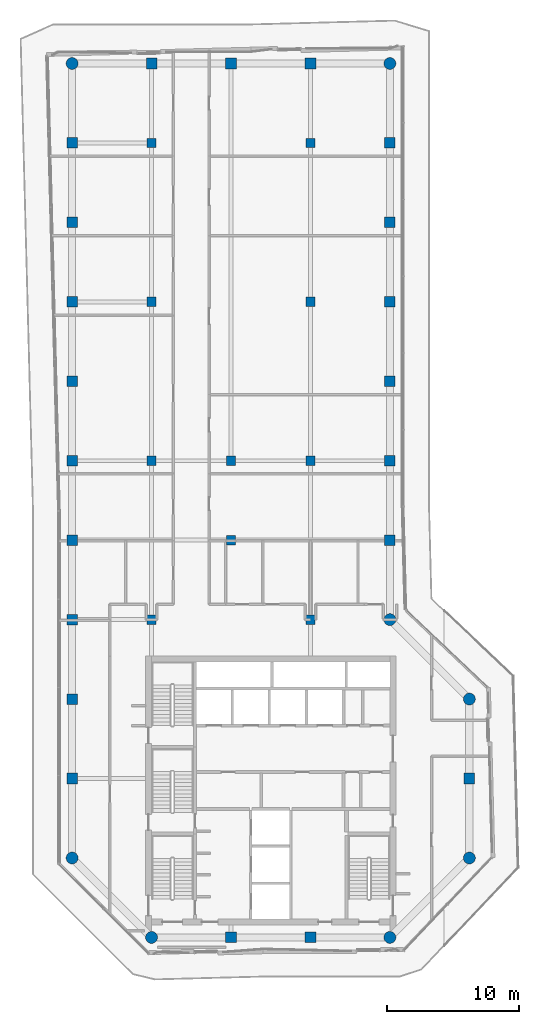
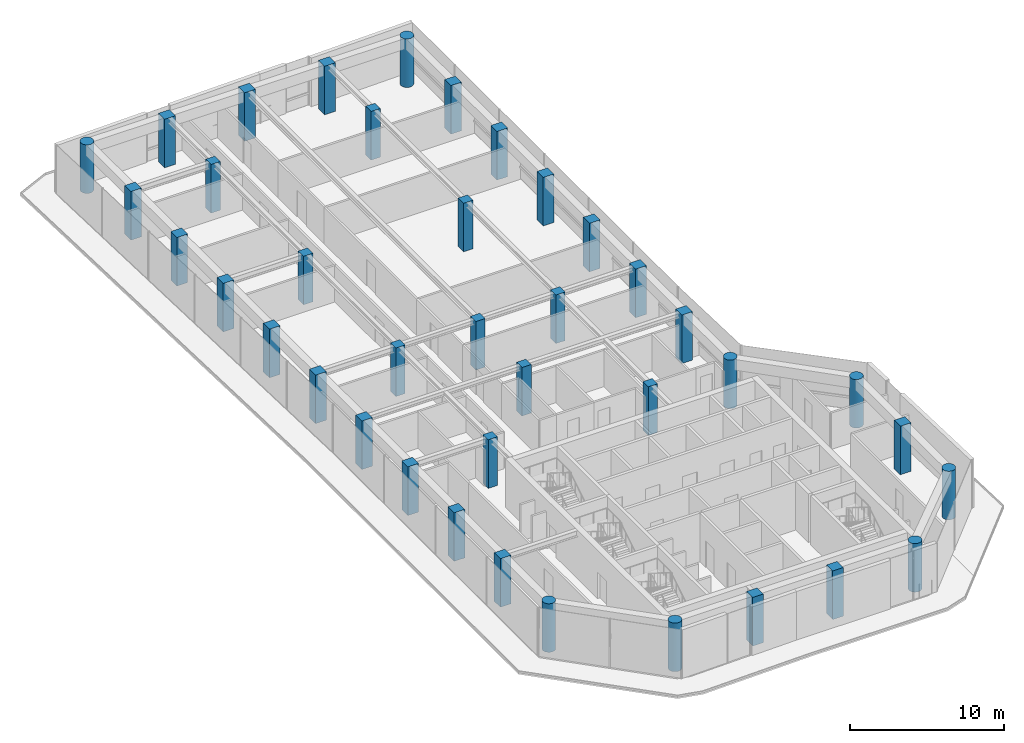
# One storey, part 1 of 20: 39 columns.
"""IFC4 building model written with IfcOpenShell, lengths in metres."""

import ifcopenshell
import ifcopenshell.guid

model = None  # the IFC model being written
_history = None  # IfcOwnerHistory: only IFC2X3 demands one
_inside = {}  # id of a spatial element -> (the spatial element, [elements in it])
_under = {}  # id of a project, library or spatial element -> (it, [spatial elements below it])
_declared = {}  # id of a project -> (the project, [libraries it declares])
_typed = {}  # id of a type object -> (the type object, [elements of that type])
_made_of = {}  # id of a material, layer set ... -> (it, [elements and type objects made of it])


def new_model(schema):
    """Start an empty IFC model of exactly this schema.

    Asked for "IFC4X3", IfcOpenShell would pick the latest addendum, in which some entities
    have other attributes; the version numbers below select the first issue.
    IFC2X3 requires an IfcOwnerHistory on every rooted entity: one is made here for all.
    """
    global model, _history
    if schema == "IFC4X3":
        model = ifcopenshell.file(schema_version=(4, 3, 0, 0))
    else:
        model = ifcopenshell.file(schema=schema)
    _inside.clear()
    _under.clear()
    _declared.clear()
    _typed.clear()
    _made_of.clear()
    _history = None
    if model.schema == "IFC2X3":
        org = make("IfcOrganization", Name="unknown")
        user = make(
            "IfcPersonAndOrganization",
            ThePerson=make("IfcPerson", FamilyName="unknown"),
            TheOrganization=org,
        )
        app = make(
            "IfcApplication",
            ApplicationDeveloper=org,
            Version="unknown",
            ApplicationFullName="unknown",
            ApplicationIdentifier="unknown",
        )
        _history = make(
            "IfcOwnerHistory",
            OwningUser=user,
            OwningApplication=app,
            ChangeAction="ADDED",
            CreationDate=0,
        )
    return model


def make(cls, **values):
    """One entity of the class cls with the attributes given. An attribute that is None is left unset."""
    return model.create_entity(
        cls, **{name: value for name, value in values.items() if value is not None}
    )


def rooted(cls, **values):
    """An entity with a GlobalId (a new one), such as an element, a storey or a relation."""
    return make(cls, GlobalId=ifcopenshell.guid.new(), OwnerHistory=_history, **values)


def si_unit(unit_type, name, prefix=None):
    """IfcSIUnit, for example si_unit("LENGTHUNIT", "METRE", prefix="MILLI")."""
    return make("IfcSIUnit", UnitType=unit_type, Prefix=prefix, Name=name)


def assignment(units):
    """IfcUnitAssignment: the units of a project."""
    return None if units is None else make("IfcUnitAssignment", Units=units)


def point(xyz):
    """IfcCartesianPoint."""
    return None if xyz is None else make("IfcCartesianPoint", Coordinates=xyz)


def direction(xyz):
    """IfcDirection."""
    return None if xyz is None else make("IfcDirection", DirectionRatios=xyz)


def frame(location, z_axis=None, x_axis=None):
    """IfcAxis2Placement3D, a coordinate frame: its origin and axes. An axis left out is left unset."""
    return make(
        "IfcAxis2Placement3D",
        Location=point(location),
        Axis=direction(z_axis),
        RefDirection=direction(x_axis),
    )


def frame_2d(location, x_axis=None):
    """IfcAxis2Placement2D, a coordinate frame in the plane: its origin and x axis."""
    return make(
        "IfcAxis2Placement2D", Location=point(location), RefDirection=direction(x_axis)
    )


def origin():
    """The frame at (0, 0, 0) with its axes left unset."""
    return frame((0.0, 0.0, 0.0))


def origin_2d():
    """The frame at (0, 0) in the plane with its x axis left unset."""
    return frame_2d((0.0, 0.0))


def place(relative_to, where):
    """IfcLocalPlacement: puts the frame where relative to a parent placement (None: the world)."""
    return make(
        "IfcLocalPlacement", PlacementRelTo=relative_to, RelativePlacement=where
    )


def context(
    kind, dimensions, precision=None, world=None, true_north=None, identifier=None
):
    """IfcGeometricRepresentationContext, for example the 3D "Model" context."""
    return make(
        "IfcGeometricRepresentationContext",
        ContextIdentifier=identifier,
        ContextType=kind,
        CoordinateSpaceDimension=dimensions,
        Precision=precision,
        WorldCoordinateSystem=world,
        TrueNorth=true_north,
    )


def subcontext(parent, identifier, kind, view, scale=None):
    """IfcGeometricRepresentationSubContext, for example "Body" below "Model"."""
    return make(
        "IfcGeometricRepresentationSubContext",
        ContextIdentifier=identifier,
        ContextType=kind,
        ParentContext=parent,
        TargetScale=scale,
        TargetView=view,
    )


def project(units=None, contexts=None):
    """IfcProject with its units and contexts."""
    return rooted(
        "IfcProject",
        Name="project",
        RepresentationContexts=contexts,
        UnitsInContext=assignment(units),
    )


def spatial(cls, under=None, at=None, **own):
    """A site, building, storey or space (cls), placed at a placement, below another one or the project."""
    s = rooted(cls, ObjectPlacement=at, **own)
    if under is not None:
        _under.setdefault(under.id(), (under, []))[1].append(s)
    return s


def profile(cls, at=None, kind="AREA", **sizes):
    """A parametric profile (cls). Its sizes go by their IFC names, for example OverallWidth=200.0."""
    return make(cls, ProfileType=kind, Position=at, **sizes)


def rectangle(**sizes):
    """IfcRectangleProfileDef."""
    return profile("IfcRectangleProfileDef", **sizes)


def circle(**sizes):
    """IfcCircleProfileDef."""
    return profile("IfcCircleProfileDef", **sizes)


def extrude(swept, where, along, depth):
    """IfcExtrudedAreaSolid: the profile swept, set in the frame where, extruded along a direction by depth."""
    return make(
        "IfcExtrudedAreaSolid",
        SweptArea=swept,
        Position=where,
        ExtrudedDirection=direction(along),
        Depth=depth,
    )


def shape(context_of_items, identifier, shape_type, items):
    """IfcShapeRepresentation: the items that make up one representation, for example the "Body"."""
    return make(
        "IfcShapeRepresentation",
        ContextOfItems=context_of_items,
        RepresentationIdentifier=identifier,
        RepresentationType=shape_type,
        Items=items,
    )


def material(Name=None, Category=None):
    """IfcMaterial."""
    return make("IfcMaterial", Name=Name, Category=Category)


def material_profile(
    of_material, cross_section, Name=None, Category=None, Priority=None
):
    """IfcMaterialProfile: a cross section and its material."""
    return make(
        "IfcMaterialProfile",
        Name=Name,
        Material=of_material,
        Profile=cross_section,
        Priority=Priority,
        Category=Category,
    )


def profile_set(profiles, Name=None, composite=None):
    """IfcMaterialProfileSet."""
    return make(
        "IfcMaterialProfileSet",
        Name=Name,
        MaterialProfiles=profiles,
        CompositeProfile=composite,
    )


def made_of(thing, what):
    """Note that an element or type object is made of a material, layer set ...; save() writes the relation."""
    if what is not None:
        _made_of.setdefault(what.id(), (what, []))[1].append(thing)
    return thing


def type_object(cls, material=None, **own):
    """A type object (cls), such as IfcWallType, which elements share."""
    return made_of(rooted(cls, **own), material)


def element(
    cls,
    number,
    at=None,
    inside=None,
    cuts=None,
    type_object=None,
    material=None,
    context=None,
    identifier="Body",
    shape_type=None,
    held_by="IfcProductDefinitionShape",
    body=None,
    shapes=None,
    **own,
):
    """One element of the class cls, such as IfcWall. Its Tag is "e" and its number.

    at: its placement. inside: the storey or other place that contains it. cuts: it is an
    opening in that element (IfcRelVoidsElement). A single representation is given by context,
    identifier, shape_type and body (its items); several are given by shapes. held_by: the class
    of the entity that holds the representations. save() writes the other relations.
    """
    e = rooted(cls, Tag="e%d" % number, ObjectPlacement=at, **own)
    if body is not None:
        shapes = [shape(context, identifier, shape_type, body)]
    if shapes is not None:
        e.Representation = make(held_by, Representations=shapes)
    if inside is not None:
        _inside.setdefault(inside.id(), (inside, []))[1].append(e)
    if cuts is not None:
        rooted(
            "IfcRelVoidsElement", RelatingBuildingElement=cuts, RelatedOpeningElement=e
        )
    if type_object is not None:
        _typed.setdefault(type_object.id(), (type_object, []))[1].append(e)
    return made_of(e, material)


def aggregate(whole, parts):
    """IfcRelAggregates: a whole, such as a stair, and the parts it consists of."""
    return rooted("IfcRelAggregates", RelatingObject=whole, RelatedObjects=parts)


def save(model, path):
    """Write the relations noted so far, then the file.

    IfcRelAggregates (storeys below a building ...), IfcRelContainedInSpatialStructure (elements
    in a storey), IfcRelDefinesByType, IfcRelAssociatesMaterial and IfcRelDeclares: one each for
    every whole, place, type object, material and project.
    """
    for whole, parts in _under.values():
        aggregate(whole, parts)
    for where, things in _inside.values():
        rooted(
            "IfcRelContainedInSpatialStructure",
            RelatedElements=things,
            RelatingStructure=where,
        )
    for kind, things in _typed.values():
        rooted("IfcRelDefinesByType", RelatedObjects=things, RelatingType=kind)
    for what, things in _made_of.values():
        rooted("IfcRelAssociatesMaterial", RelatedObjects=things, RelatingMaterial=what)
    for by, libraries in _declared.values():
        rooted("IfcRelDeclares", RelatingContext=by, RelatedDefinitions=libraries)
    model.write(path)


model = new_model("IFC4")

# Units and contexts
model_context = context("Model", 3, precision=1e-05, world=origin(), true_north=direction((0.0, 1.0)))
body_context = subcontext(model_context, "Body", "Model", "MODEL_VIEW")
ifc_project = project(units=[si_unit("LENGTHUNIT", "METRE"), si_unit("AREAUNIT", "SQUARE_METRE"), si_unit("VOLUMEUNIT", "CUBIC_METRE"), si_unit("PLANEANGLEUNIT", "RADIAN"), si_unit("MASSUNIT", "GRAM", prefix="KILO")], contexts=[model_context])

# Site, building, storey
site_placement = place(None, origin())
site = spatial("IfcSite", under=ifc_project, at=site_placement, CompositionType="ELEMENT")
building_placement = place(site_placement, origin())
building = spatial("IfcBuilding", under=site, at=building_placement, Name="Welwitschia Terrace Campus", CompositionType="ELEMENT")
storey_placement = place(building_placement, frame((0.0, 0.0, 222.199951171875)))
storey = spatial("IfcBuildingStorey", under=building, at=storey_placement, Name="L49", CompositionType="ELEMENT", Elevation=222.199951171875)

# Columns
ifc_material_1 = material(Name="Concrete C50/60", Category="concrete")
ifc_material_profile_1 = material_profile(ifc_material_1, circle(Radius=0.449951171875, at=origin_2d()))
ifc_profile_set_1 = profile_set([ifc_material_profile_1], Name="Concrete C50/60")
column_type_1 = type_object("IfcColumnType", Name="Corner column 900 dia", PredefinedType="COLUMN", material=ifc_profile_set_1)
for number, where, z_axis, x_axis, name in (
    (1, (0.0, 10.0, 0.0), (0.0, 0.0, 1.0), (1.0, 0.0, 0.0), "Column C32"),
    (2, (0.0, 70.0, 0.0), (0.0, 0.0, 1.0), (1.0, 0.0, 0.0), "Column C32"),
    (3, (6.0, 4.0, 0.0), (0.0, 0.0, 1.0), (1.0, 0.0, 0.0), "Column C32"),
    (4, (24.0, 4.0, 0.0), (0.0, 0.0, 1.0), (1.0, 0.0, 0.0), "Column C32"),
    (5, (24.0, 28.0, 0.0), (0.0, 0.0, 1.0), (1.0, 0.0, 0.0), "Column C32"),
    (6, (24.0, 70.0, 0.0), (0.0, 0.0, 1.0), (1.0, 0.0, 0.0), "Column C32"),
    (7, (30.0, 10.0, 0.0), (0.0, 0.0, 1.0), (1.0, 0.0, 0.0), "Column C32"),
    (8, (30.0, 22.0, 0.0), (0.0, 0.0, 1.0), (1.0, 0.0, 0.0), "Column C32"),
):
    element("IfcColumn", number, at=place(storey_placement, frame(where, z_axis=z_axis, x_axis=x_axis)), inside=storey, type_object=column_type_1, Name=name, PredefinedType="COLUMN", context=body_context, shape_type="SweptSolid", body=[
        extrude(circle(Radius=0.449951171875, at=origin_2d()), origin(), (0.0, 0.0, 1.0), 3.85009765625),
    ])
ifc_material_2 = material(Name="Concrete C50/60", Category="concrete")
ifc_material_profile_2 = material_profile(ifc_material_2, rectangle(XDim=0.699951171875, YDim=0.699951171875, at=origin_2d()))
ifc_profile_set_2 = profile_set([ifc_material_profile_2], Name="Concrete C50/60")
column_type_2 = type_object("IfcColumnType", Name="Interior column 700x700", PredefinedType="COLUMN", material=ifc_profile_set_2)
for number, where, z_axis, x_axis, name in (
    (9, (6.0, 28.0, 0.0), (0.0, 0.0, 1.0), (1.0, 0.0, 0.0), "Column C34"),
    (10, (6.0, 40.0, 0.0), (0.0, 0.0, 1.0), (1.0, 0.0, 0.0), "Column C34"),
    (11, (6.0, 52.0, 0.0), (0.0, 0.0, 1.0), (1.0, 0.0, 0.0), "Column C34"),
    (12, (6.0, 64.0, 0.0), (0.0, 0.0, 1.0), (1.0, 0.0, 0.0), "Column C34"),
    (13, (12.0, 34.0, 0.0), (0.0, 0.0, 1.0), (1.0, 0.0, 0.0), "Column C34"),
    (14, (12.0, 40.0, 0.0), (0.0, 0.0, 1.0), (1.0, 0.0, 0.0), "Column C34"),
    (15, (18.0, 28.0, 0.0), (0.0, 0.0, 1.0), (1.0, 0.0, 0.0), "Column C34"),
    (16, (18.0, 40.0, 0.0), (0.0, 0.0, 1.0), (1.0, 0.0, 0.0), "Column C34"),
    (17, (18.0, 52.0, 0.0), (0.0, 0.0, 1.0), (1.0, 0.0, 0.0), "Column C34"),
    (18, (18.0, 64.0, 0.0), (0.0, 0.0, 1.0), (1.0, 0.0, 0.0), "Column C34"),
):
    element("IfcColumn", number, at=place(storey_placement, frame(where, z_axis=z_axis, x_axis=x_axis)), inside=storey, type_object=column_type_2, Name=name, PredefinedType="COLUMN", context=body_context, shape_type="SweptSolid", body=[
        extrude(rectangle(XDim=0.699951171875, YDim=0.699951171875, at=origin_2d()), origin(), (0.0, 0.0, 1.0), 3.85009765625),
    ])
ifc_material_3 = material(Name="Concrete C50/60", Category="concrete")
ifc_material_profile_3 = material_profile(ifc_material_3, rectangle(XDim=0.800048828125, YDim=0.800048828125, at=origin_2d()))
ifc_profile_set_3 = profile_set([ifc_material_profile_3], Name="Concrete C50/60")
column_type_3 = type_object("IfcColumnType", Name="Ring column 800x800", PredefinedType="COLUMN", material=ifc_profile_set_3)
for number, where, z_axis, x_axis, name in (
    (19, (0.0, 16.0, 0.0), (0.0, 0.0, 1.0), (1.0, 0.0, 0.0), "Column C33"),
    (20, (0.0, 22.0, 0.0), (0.0, 0.0, 1.0), (1.0, 0.0, 0.0), "Column C33"),
    (21, (0.0, 28.0, 0.0), (0.0, 0.0, 1.0), (1.0, 0.0, 0.0), "Column C33"),
    (22, (0.0, 34.0, 0.0), (0.0, 0.0, 1.0), (1.0, 0.0, 0.0), "Column C33"),
    (23, (0.0, 40.0, 0.0), (0.0, 0.0, 1.0), (1.0, 0.0, 0.0), "Column C33"),
    (24, (0.0, 46.0, 0.0), (0.0, 0.0, 1.0), (1.0, 0.0, 0.0), "Column C33"),
    (25, (0.0, 52.0, 0.0), (0.0, 0.0, 1.0), (1.0, 0.0, 0.0), "Column C33"),
    (26, (0.0, 58.0, 0.0), (0.0, 0.0, 1.0), (1.0, 0.0, 0.0), "Column C33"),
    (27, (0.0, 64.0, 0.0), (0.0, 0.0, 1.0), (1.0, 0.0, 0.0), "Column C33"),
    (28, (6.0, 70.0, 0.0), (0.0, 0.0, 1.0), (1.0, 0.0, 0.0), "Column C33"),
    (29, (12.0, 4.0, 0.0), (0.0, 0.0, 1.0), (1.0, 0.0, 0.0), "Column C33"),
    (30, (12.0, 70.0, 0.0), (0.0, 0.0, 1.0), (1.0, 0.0, 0.0), "Column C33"),
    (31, (18.0, 4.0, 0.0), (0.0, 0.0, 1.0), (1.0, 0.0, 0.0), "Column C33"),
    (32, (18.0, 70.0, 0.0), (0.0, 0.0, 1.0), (1.0, 0.0, 0.0), "Column C33"),
    (33, (24.0, 34.0, 0.0), (0.0, 0.0, 1.0), (1.0, 0.0, 0.0), "Column C33"),
    (34, (24.0, 40.0, 0.0), (0.0, 0.0, 1.0), (1.0, 0.0, 0.0), "Column C33"),
    (35, (24.0, 46.0, 0.0), (0.0, 0.0, 1.0), (1.0, 0.0, 0.0), "Column C33"),
    (36, (24.0, 52.0, 0.0), (0.0, 0.0, 1.0), (1.0, 0.0, 0.0), "Column C33"),
    (37, (24.0, 58.0, 0.0), (0.0, 0.0, 1.0), (1.0, 0.0, 0.0), "Column C33"),
    (38, (24.0, 64.0, 0.0), (0.0, 0.0, 1.0), (1.0, 0.0, 0.0), "Column C33"),
    (39, (30.0, 16.0, 0.0), (0.0, 0.0, 1.0), (1.0, 0.0, 0.0), "Column C33"),
):
    element("IfcColumn", number, at=place(storey_placement, frame(where, z_axis=z_axis, x_axis=x_axis)), inside=storey, type_object=column_type_3, Name=name, PredefinedType="COLUMN", context=body_context, shape_type="SweptSolid", body=[
        extrude(rectangle(XDim=0.800048828125, YDim=0.800048828125, at=origin_2d()), origin(), (0.0, 0.0, 1.0), 3.85009765625),
    ])

save(model, "model.ifc")
